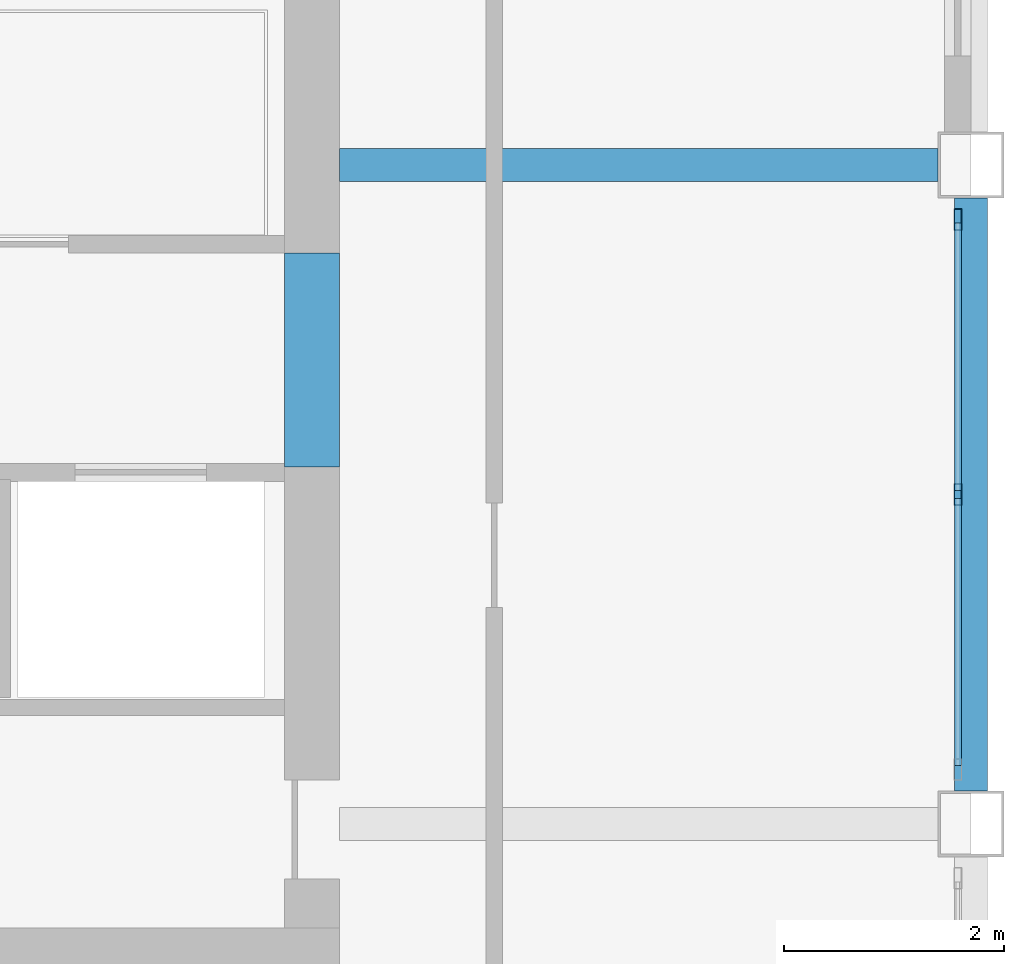
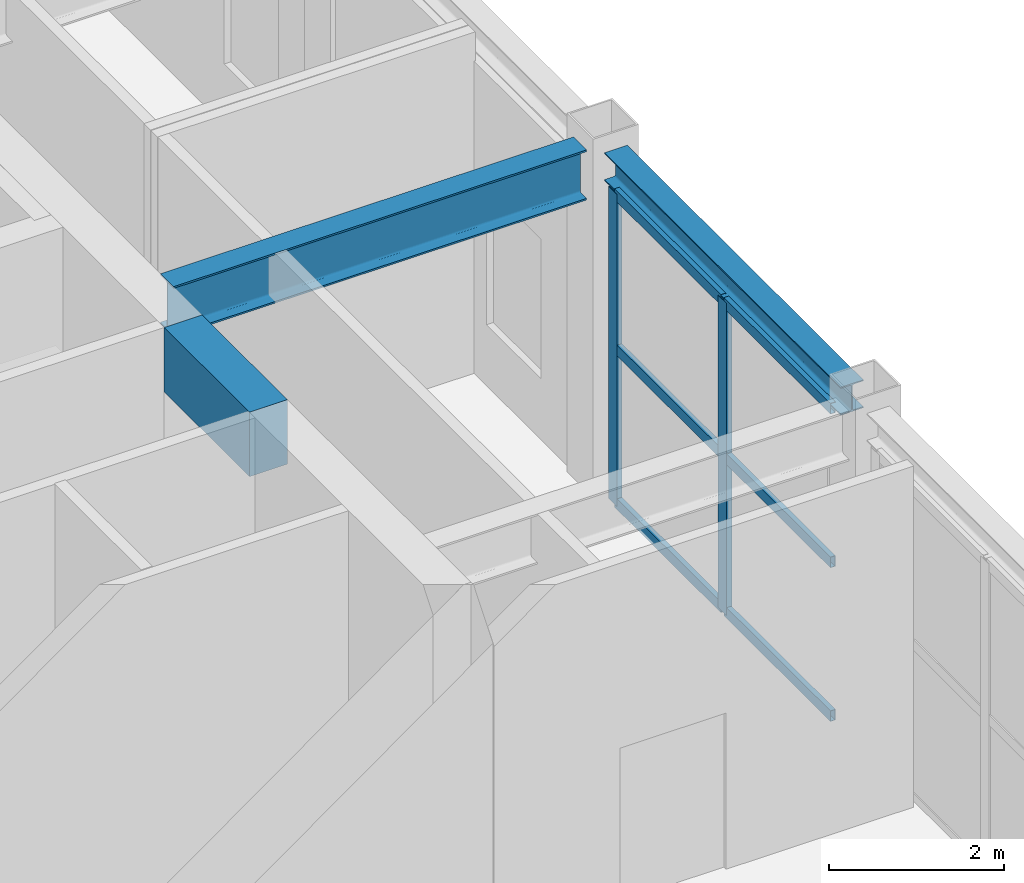
# One storey, part 5 of 11: 8 members, 3 beams, 1 element without a shape of its own.
"""IFC4 building model written with IfcOpenShell, lengths in metres."""

from ifc_helpers import new_model, si_unit, direction, frame, origin, origin_2d, place, context, subcontext, project, spatial, rectangle, hollow_rectangle, i_section, extrude, material, layer, layer_set, material_profile, profile_set, type_object, element, aggregate, save


model = new_model("IFC4")

# Units and contexts
model_context = context("Model", 3, precision=1e-05, world=origin(), true_north=direction((0.0, 1.0)))
body_context = subcontext(model_context, "Body", "Model", "MODEL_VIEW")
ifc_project = project(units=[si_unit("LENGTHUNIT", "METRE"), si_unit("AREAUNIT", "SQUARE_METRE"), si_unit("VOLUMEUNIT", "CUBIC_METRE"), si_unit("PLANEANGLEUNIT", "RADIAN"), si_unit("MASSUNIT", "GRAM", prefix="KILO")], contexts=[model_context])

# Site, building, storey
site_placement = place(None, origin())
site = spatial("IfcSite", under=ifc_project, at=site_placement, CompositionType="ELEMENT")
building_placement = place(site_placement, origin())
building = spatial("IfcBuilding", under=site, at=building_placement, Name="Haolan Belvedere Tower", CompositionType="ELEMENT")
storey_placement = place(building_placement, frame((0.0, 0.0, 318.199951171875)))
storey = spatial("IfcBuildingStorey", under=building, at=storey_placement, Name="L80", CompositionType="ELEMENT", Elevation=318.199951171875)

# Beams
ifc_material_1 = material(Name="Steel Q355B", Category="steel")
ifc_material_profile_1 = material_profile(ifc_material_1, i_section(OverallWidth=0.300048828125, OverallDepth=0.389892578125, WebThickness=0.010009765625, FlangeThickness=0.01611328125, FilletRadius=0.02197265625, at=origin_2d()), Name="Steel Q355B")
ifc_profile_set_1 = profile_set([ifc_material_profile_1], Name="Steel Q355B")
beam_type_1 = type_object("IfcBeamType", Name="BM-HM390x300x10x16", PredefinedType="SPANDREL", material=ifc_profile_set_1)
beam_1_placement = place(storey_placement, frame((52.800048828125, 27.89990234375, 4.56494140625), z_axis=(0.0, 1.0, 0.0), x_axis=(-1.0, 0.0, 0.0)))
element("IfcBeam", 1, at=beam_1_placement, inside=storey, type_object=beam_type_1, Name="L80 spandrel girder TC-T3-E1-MC-T3-ME", PredefinedType="SPANDREL", context=body_context, shape_type="SweptSolid", body=[
    extrude(i_section(OverallWidth=0.300048828125, OverallDepth=0.389892578125, WebThickness=0.010009765625, FlangeThickness=0.01611328125, FilletRadius=0.02197265625, at=origin_2d()), origin(), (0.0, 0.0, 1.0), 5.400146484375),
])
ifc_material_profile_2 = material_profile(ifc_material_1, i_section(OverallWidth=0.300048828125, OverallDepth=0.699951171875, WebThickness=0.012939453125, FlangeThickness=0.02392578125, FilletRadius=0.02587890625, at=origin_2d()), Name="Steel Q355B")
ifc_profile_set_2 = profile_set([ifc_material_profile_2], Name="Steel Q355B")
beam_type_2 = type_object("IfcBeamType", Name="BM-HN700x300x13x24", PredefinedType="BEAM", material=ifc_profile_set_2)
beam_2_placement = place(storey_placement, frame((52.5, 33.60009765625, 4.41015625), z_axis=(-1.0, 0.0, 0.0), x_axis=(0.0, -1.0, 0.0)))
element("IfcBeam", 2, at=beam_2_placement, inside=storey, type_object=beam_type_2, Name="L80 core tie beam from MC-T3-ME", PredefinedType="BEAM", context=body_context, shape_type="SweptSolid", body=[
    extrude(i_section(OverallWidth=0.300048828125, OverallDepth=0.699951171875, WebThickness=0.012939453125, FlangeThickness=0.02392578125, FilletRadius=0.02587890625, at=origin_2d()), origin(), (0.0, 0.0, 1.0), 5.449951171875),
])
ifc_material_2 = material(Name="Concrete C60/75", Category="concrete")
ifc_material_profile_3 = material_profile(ifc_material_2, rectangle(XDim=0.5, YDim=0.89990234375, at=origin_2d()), Name="Concrete C60/75")
ifc_profile_set_3 = profile_set([ifc_material_profile_3], Name="Concrete C60/75")
beam_type_3 = type_object("IfcBeamType", Name="BM-RC500x900", PredefinedType="LINTEL", material=ifc_profile_set_3)
beam_3_placement = place(storey_placement, frame((46.800048828125, 30.85009765625, 4.31005859375), z_axis=(0.0, 1.0, 0.0), x_axis=(-1.0, 0.0, 0.0)))
element("IfcBeam", 3, at=beam_3_placement, inside=storey, type_object=beam_type_3, Name="L80 east core coupling beam CB-01", PredefinedType="LINTEL", context=body_context, shape_type="SweptSolid", body=[
    extrude(rectangle(XDim=0.5, YDim=0.89990234375, at=origin_2d()), origin(), (0.0, 0.0, 1.0), 1.949951171875),
])

# Curtain wall, members
ifc_material_3 = material(Name="Anodised champagne-silver aluminium 6063-T6 and Low-E glass", Category="aluminium")
ifc_layer = layer(ifc_material_3, 0.195068359375, Name="Anodised champagne-silver aluminium 6063-T6 and Low-E glass")
ifc_layer_set = layer_set([ifc_layer], Name="Anodised champagne-silver aluminium 6063-T6 and Low-E glass")
curtain_wall_type = type_object("IfcCurtainWallType", Name="CW-SYS-06", PredefinedType="NOTDEFINED", material=ifc_layer_set)
curtain_wall_placement = place(storey_placement, origin())
curtain_wall = element("IfcCurtainWall", 4, at=curtain_wall_placement, inside=storey, type_object=curtain_wall_type, Name="L80 CW-SYS-06 ribbon curtain wall 3.2", PredefinedType="NOTDEFINED")
ifc_material_4 = material(Name="Anodised aluminium 6063-T6", Category="aluminium")
ifc_material_profile_4 = material_profile(ifc_material_4, hollow_rectangle(XDim=0.070068359375, YDim=0.195068359375, WallThickness=0.00390625, at=origin_2d()), Name="Anodised aluminium 6063-T6")
ifc_profile_set_4 = profile_set([ifc_material_profile_4], Name="Anodised aluminium 6063-T6")
member_type_1 = type_object("IfcMemberType", Name="CW-SYS-06-MUL", PredefinedType="MULLION", material=ifc_profile_set_4)
member_1_placement = place(storey_placement, frame((52.679931640625, 30.60009765625, 0.0), z_axis=(0.0, 0.0, 1.0), x_axis=(-1.0, 0.0, 0.0)))
member_1 = element("IfcMember", 5, at=member_1_placement, type_object=member_type_1, Name="CW-06 mullion 2", PredefinedType="MULLION", context=body_context, shape_type="SweptSolid", body=[
    extrude(hollow_rectangle(XDim=0.070068359375, YDim=0.195068359375, WallThickness=0.00390625, at=origin_2d()), origin(), (0.0, 0.0, 1.0), 4.35498046875),
])
member_2_placement = place(storey_placement, frame((52.679931640625, 33.10498046875, 0.0), z_axis=(0.0, 0.0, 1.0), x_axis=(-1.0, 0.0, 0.0)))
member_2 = element("IfcMember", 6, at=member_2_placement, type_object=member_type_1, Name="CW-06 mullion 3", PredefinedType="MULLION", context=body_context, shape_type="SweptSolid", body=[
    extrude(hollow_rectangle(XDim=0.070068359375, YDim=0.195068359375, WallThickness=0.00390625, at=origin_2d()), origin(), (0.0, 0.0, 1.0), 4.35498046875),
])
ifc_material_profile_5 = material_profile(ifc_material_4, hollow_rectangle(XDim=0.06494140625, YDim=0.14990234375, WallThickness=0.00390625, at=origin_2d()), Name="Anodised aluminium 6063-T6")
ifc_profile_set_5 = profile_set([ifc_material_profile_5], Name="Anodised aluminium 6063-T6")
member_type_2 = type_object("IfcMemberType", Name="CW-SYS-06-TRN", PredefinedType="USERDEFINED", material=ifc_profile_set_5)
member_3_placement = place(storey_placement, frame((52.679931640625, 28.1298828125, 0.032470703125), z_axis=(0.0, 1.0, 0.0), x_axis=(-1.0, 0.0, 0.0)))
member_3 = element("IfcMember", 7, at=member_3_placement, type_object=member_type_2, Name="CW-06 transom 1.1", ObjectType="TRANSOM", PredefinedType="USERDEFINED", context=body_context, shape_type="SweptSolid", body=[
    extrude(hollow_rectangle(XDim=0.06494140625, YDim=0.14990234375, WallThickness=0.00390625, at=origin_2d()), origin(), (0.0, 0.0, 1.0), 2.43505859375),
])
member_4_placement = place(storey_placement, frame((52.679931640625, 28.1298828125, 2.177490234375), z_axis=(0.0, 1.0, 0.0), x_axis=(-1.0, 0.0, 0.0)))
member_4 = element("IfcMember", 8, at=member_4_placement, type_object=member_type_2, Name="CW-06 transom 1.2", ObjectType="TRANSOM", PredefinedType="USERDEFINED", context=body_context, shape_type="SweptSolid", body=[
    extrude(hollow_rectangle(XDim=0.06494140625, YDim=0.14990234375, WallThickness=0.00390625, at=origin_2d()), origin(), (0.0, 0.0, 1.0), 2.43505859375),
])
member_5_placement = place(storey_placement, frame((52.679931640625, 28.1298828125, 4.322509765625), z_axis=(0.0, 1.0, 0.0), x_axis=(-1.0, 0.0, 0.0)))
member_5 = element("IfcMember", 9, at=member_5_placement, type_object=member_type_2, Name="CW-06 transom 1.3", ObjectType="TRANSOM", PredefinedType="USERDEFINED", context=body_context, shape_type="SweptSolid", body=[
    extrude(hollow_rectangle(XDim=0.06494140625, YDim=0.14990234375, WallThickness=0.00390625, at=origin_2d()), origin(), (0.0, 0.0, 1.0), 2.43505859375),
])
member_6_placement = place(storey_placement, frame((52.679931640625, 30.635009765625, 0.032470703125), z_axis=(0.0, 1.0, 0.0), x_axis=(-1.0, 0.0, 0.0)))
member_6 = element("IfcMember", 10, at=member_6_placement, type_object=member_type_2, Name="CW-06 transom 2.1", ObjectType="TRANSOM", PredefinedType="USERDEFINED", context=body_context, shape_type="SweptSolid", body=[
    extrude(hollow_rectangle(XDim=0.06494140625, YDim=0.14990234375, WallThickness=0.00390625, at=origin_2d()), origin(), (0.0, 0.0, 1.0), 2.43505859375),
])
member_7_placement = place(storey_placement, frame((52.679931640625, 30.635009765625, 2.177490234375), z_axis=(0.0, 1.0, 0.0), x_axis=(-1.0, 0.0, 0.0)))
member_7 = element("IfcMember", 11, at=member_7_placement, type_object=member_type_2, Name="CW-06 transom 2.2", ObjectType="TRANSOM", PredefinedType="USERDEFINED", context=body_context, shape_type="SweptSolid", body=[
    extrude(hollow_rectangle(XDim=0.06494140625, YDim=0.14990234375, WallThickness=0.00390625, at=origin_2d()), origin(), (0.0, 0.0, 1.0), 2.43505859375),
])
member_8_placement = place(storey_placement, frame((52.679931640625, 30.635009765625, 4.322509765625), z_axis=(0.0, 1.0, 0.0), x_axis=(-1.0, 0.0, 0.0)))
member_8 = element("IfcMember", 12, at=member_8_placement, type_object=member_type_2, Name="CW-06 transom 2.3", ObjectType="TRANSOM", PredefinedType="USERDEFINED", context=body_context, shape_type="SweptSolid", body=[
    extrude(hollow_rectangle(XDim=0.06494140625, YDim=0.14990234375, WallThickness=0.00390625, at=origin_2d()), origin(), (0.0, 0.0, 1.0), 2.43505859375),
])
aggregate(curtain_wall, [member_1, member_2, member_3, member_4, member_5, member_6, member_7, member_8])

save(model, "model.ifc")
